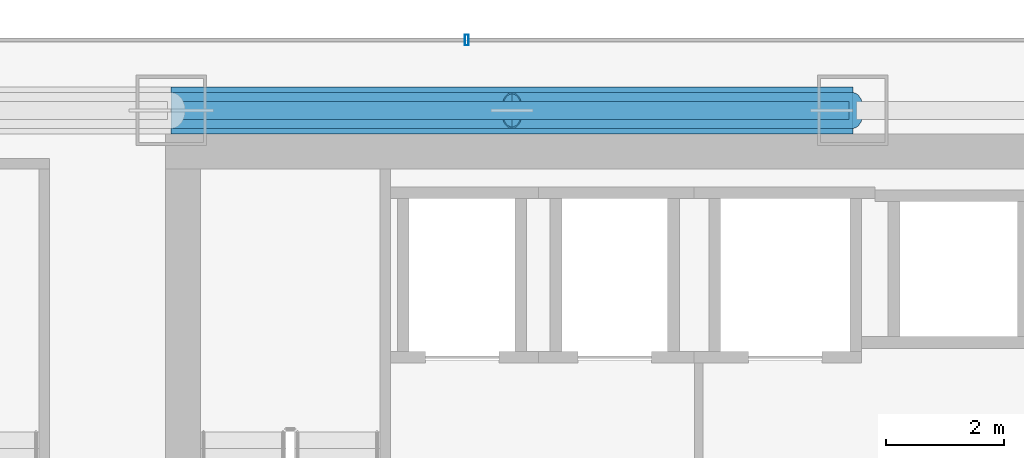
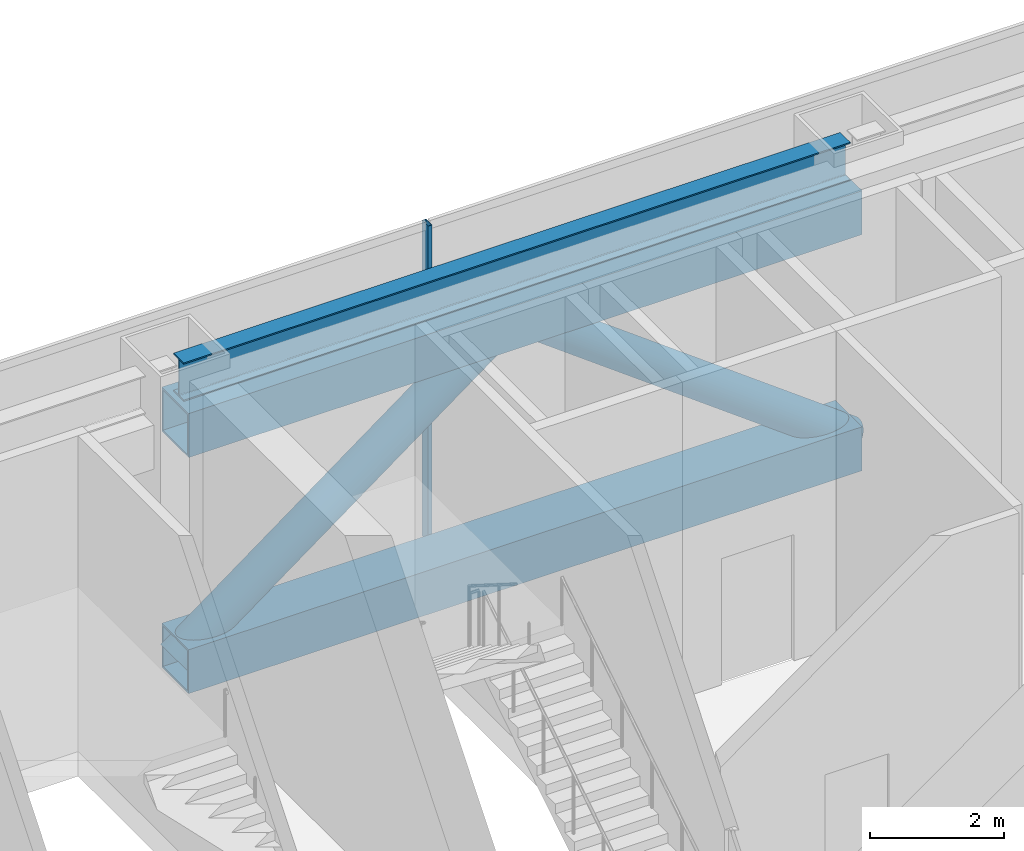
# One storey, part 21 of 35: 5 members, 1 beam, 1 element without a shape of its own.
"""IFC4 building model written with IfcOpenShell, lengths in metres."""

from ifc_helpers import new_model, si_unit, direction, frame, origin, origin_2d, place, context, subcontext, project, spatial, hollow_rectangle, hollow_circle, i_section, extrude, material, material_profile, profile_set, type_object, element, aggregate, save


model = new_model("IFC4")

# Units and contexts
model_context = context("Model", 3, precision=1e-05, world=origin(), true_north=direction((0.0, 1.0)))
body_context = subcontext(model_context, "Body", "Model", "MODEL_VIEW")
ifc_project = project(units=[si_unit("LENGTHUNIT", "METRE"), si_unit("AREAUNIT", "SQUARE_METRE"), si_unit("VOLUMEUNIT", "CUBIC_METRE"), si_unit("PLANEANGLEUNIT", "RADIAN"), si_unit("MASSUNIT", "GRAM", prefix="KILO")], contexts=[model_context])

# Site, building, storey
site_placement = place(None, origin())
site = spatial("IfcSite", under=ifc_project, at=site_placement, CompositionType="ELEMENT")
building_placement = place(site_placement, origin())
building = spatial("IfcBuilding", under=site, at=building_placement, Name="Saevonmaru Cultural Tower", CompositionType="ELEMENT")
storey_placement = place(building_placement, frame((0.0, 0.0, 86.800048828125)))
storey = spatial("IfcBuildingStorey", under=building, at=storey_placement, Name="L18", CompositionType="ELEMENT", Elevation=86.800048828125)

# Beam
ifc_material_1 = material(Name="Steel SM355", Category="steel")
ifc_material_profile_1 = material_profile(ifc_material_1, i_section(OverallWidth=0.300048828125, OverallDepth=0.699951171875, WebThickness=0.012939453125, FlangeThickness=0.02392578125, FilletRadius=0.02587890625, at=origin_2d()), Name="H-700x300x13x24")
ifc_profile_set_1 = profile_set([ifc_material_profile_1], Name="Steel SM355")
beam_type = type_object("IfcBeamType", Name="BM-SP-H700", PredefinedType="SPANDREL", material=ifc_profile_set_1)
beam_placement = place(storey_placement, frame((13.659912109375, 54.800048828125, 5.39990234375), z_axis=(1.0, 0.0, 0.0), x_axis=(0.0, 1.0, 0.0)))
element("IfcBeam", 1, at=beam_placement, inside=storey, type_object=beam_type, Name="L18 North Spine Girder 2", PredefinedType="SPANDREL", context=body_context, shape_type="SweptSolid", body=[
    extrude(i_section(OverallWidth=0.300048828125, OverallDepth=0.699951171875, WebThickness=0.012939453125, FlangeThickness=0.02392578125, FilletRadius=0.02587890625, at=origin_2d()), origin(), (0.0, 0.0, 1.0), 11.47998046875),
])

# Members
ifc_material_2 = material(Name="Steel HSA600 (600 MPa)", Category="steel")
ifc_material_profile_2 = material_profile(ifc_material_2, hollow_circle(Radius=0.3046875, WallThickness=0.02490234375, at=origin_2d()), Name="CHS-609.6x25")
ifc_profile_set_2 = profile_set([ifc_material_profile_2], Name="Steel HSA600 (600 MPa)")
member_type_1 = type_object("IfcMemberType", Name="MB-OBR-CHS610", PredefinedType="BRACE", material=ifc_profile_set_2)
member_1_placement = place(storey_placement, frame((13.60009765625, 54.800048828125, 0.300048828125), z_axis=(0.803315118749, 0.0, 0.595554212469), x_axis=(0.0, 1.0, 0.0)))
element("IfcMember", 2, at=member_1_placement, inside=storey, type_object=member_type_1, Name="L18 Outrigger Truss Diagonal OW1-1", PredefinedType="BRACE", context=body_context, shape_type="SweptSolid", body=[
    extrude(hollow_circle(Radius=0.3046875, WallThickness=0.02490234375, at=origin_2d()), origin(), (0.0, 0.0, 1.0), 7.2197265625),
])
member_2_placement = place(storey_placement, frame((25.199951171875, 54.800048828125, 0.300048828125), z_axis=(-0.803327112017, 0.0, 0.595538034972), x_axis=(0.0, -1.0, 0.0)))
element("IfcMember", 3, at=member_2_placement, inside=storey, type_object=member_type_1, Name="L18 Outrigger Truss Diagonal OW1-2", PredefinedType="BRACE", context=body_context, shape_type="SweptSolid", body=[
    extrude(hollow_circle(Radius=0.3046875, WallThickness=0.02490234375, at=origin_2d()), origin(), (0.0, 0.0, 1.0), 7.219970703125),
])
ifc_material_profile_3 = material_profile(ifc_material_2, hollow_rectangle(XDim=0.800048828125, YDim=0.800048828125, WallThickness=0.035888671875, at=origin_2d()), Name="BOX-800x800x36")
ifc_profile_set_3 = profile_set([ifc_material_profile_3], Name="Steel HSA600 (600 MPa)")
member_type_2 = type_object("IfcMemberType", Name="MB-OCH-BOX800", PredefinedType="CHORD", material=ifc_profile_set_3)
for number, where, z_axis, x_axis, name in (
    (4, (13.60009765625, 54.800048828125, 0.300048828125), (1.0, 0.0, 0.0), (0.0, 1.0, 0.0), "L18 Outrigger Truss Bottom Chord OW1"),
    (5, (13.60009765625, 54.800048828125, 4.599853515625), (1.0, 0.0, 0.0), (0.0, 1.0, 0.0), "L18 Outrigger Truss Top Chord OW1"),
):
    element("IfcMember", number, at=place(storey_placement, frame(where, z_axis=z_axis, x_axis=x_axis)), inside=storey, type_object=member_type_2, Name=name, PredefinedType="CHORD", context=body_context, shape_type="SweptSolid", body=[
        extrude(hollow_rectangle(XDim=0.800048828125, YDim=0.800048828125, WallThickness=0.035888671875, at=origin_2d()), origin(), (0.0, 0.0, 1.0), 11.599853515625),
    ])

# Curtain wall, member
ifc_material_3 = material(Name="Satin Bronze Anodised Aluminium", Category="aluminium")
curtain_wall_type = type_object("IfcCurtainWallType", Name="CW-TYP-A", PredefinedType="NOTDEFINED", material=ifc_material_3)
curtain_wall_placement = place(storey_placement, origin())
curtain_wall = element("IfcCurtainWall", 6, at=curtain_wall_placement, inside=storey, type_object=curtain_wall_type, Name="L18 Wind-Floor Acoustic Louvre Screen E10", PredefinedType="NOTDEFINED")
ifc_material_profile_4 = material_profile(ifc_material_3, hollow_rectangle(XDim=0.06494140625, YDim=0.179931640625, WallThickness=0.00390625, at=origin_2d()), Name="ALU-MULL-180x65x4")
ifc_profile_set_4 = profile_set([ifc_material_profile_4], Name="Satin Bronze Anodised Aluminium")
member_type_3 = type_object("IfcMemberType", Name="ML-CW-180x65", PredefinedType="MULLION", material=ifc_profile_set_4)
member_3_placement = place(storey_placement, frame((18.6298828125, 56.0, 0.0), z_axis=(0.0, 0.0, 1.0), x_axis=(-1.0, 0.0, 0.0)))
member_3 = element("IfcMember", 7, at=member_3_placement, type_object=member_type_3, Name="CW-TW-L18-E10 mullion 4", PredefinedType="MULLION", context=body_context, shape_type="SweptSolid", body=[
    extrude(hollow_rectangle(XDim=0.06494140625, YDim=0.179931640625, WallThickness=0.00390625, at=origin_2d()), origin(), (0.0, 0.0, 1.0), 5.75),
])
aggregate(curtain_wall, [member_3])

save(model, "model.ifc")
